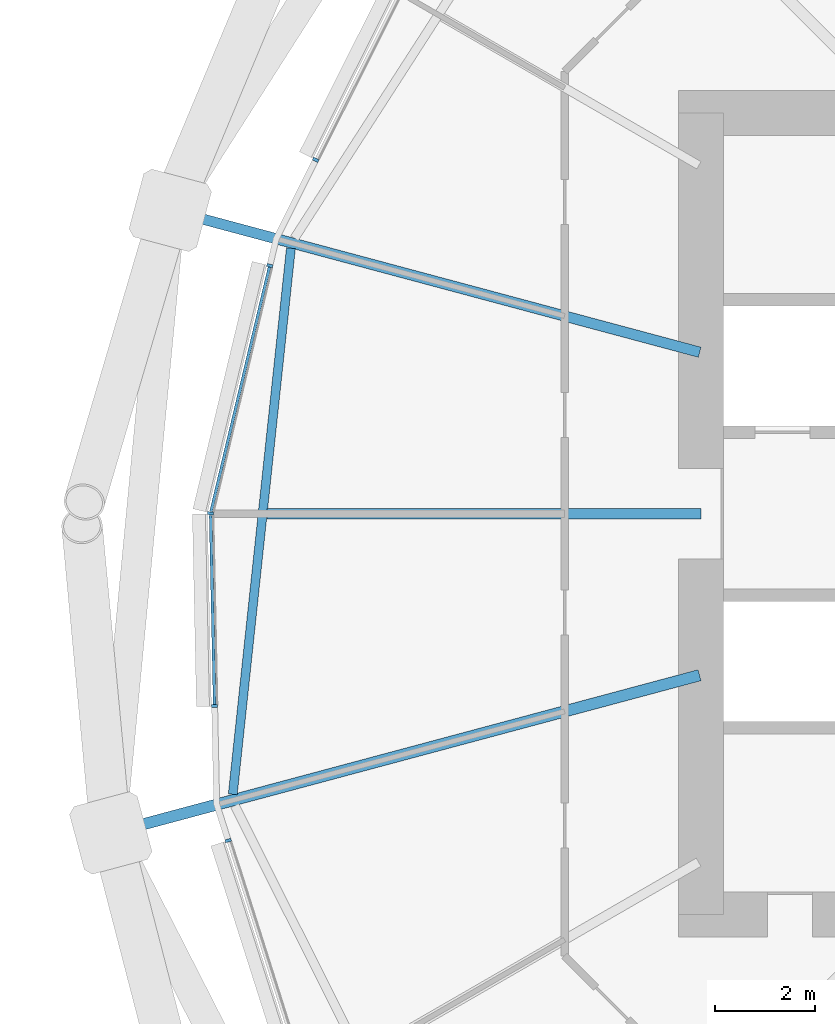
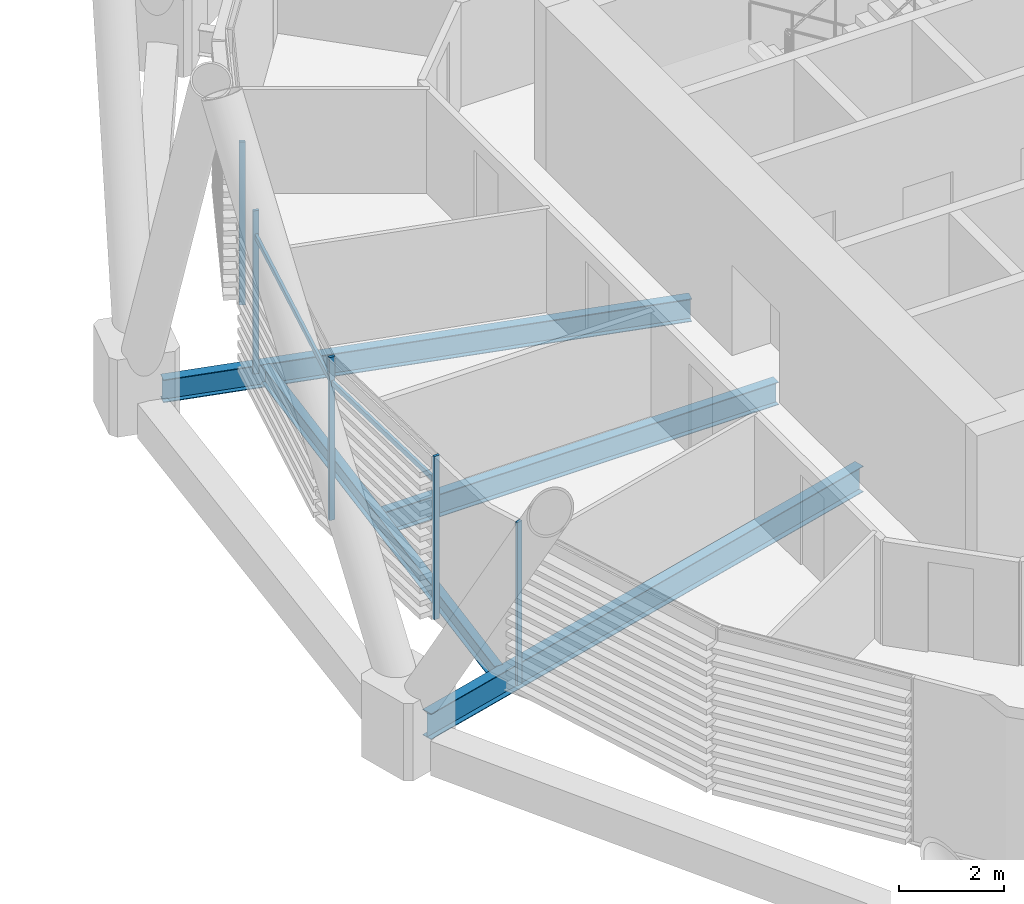
# One storey, part 16 of 40: 7 members, 4 beams, 1 element without a shape of its own.
"""IFC4 building model written with IfcOpenShell, lengths in metres."""

from ifc_helpers import new_model, si_unit, direction, frame, origin, origin_2d, place, context, subcontext, project, spatial, rectangle, i_section, extrude, material, material_profile, profile_set, type_object, element, aggregate, save


model = new_model("IFC4")

# Units and contexts
model_context = context("Model", 3, precision=1e-05, world=origin(), true_north=direction((0.0, 1.0)))
body_context = subcontext(model_context, "Body", "Model", "MODEL_VIEW")
ifc_project = project(units=[si_unit("LENGTHUNIT", "METRE"), si_unit("AREAUNIT", "SQUARE_METRE"), si_unit("VOLUMEUNIT", "CUBIC_METRE"), si_unit("PLANEANGLEUNIT", "RADIAN"), si_unit("MASSUNIT", "GRAM", prefix="KILO")], contexts=[model_context])

# Site, building, storey
site_placement = place(None, origin())
site = spatial("IfcSite", under=ifc_project, at=site_placement, CompositionType="ELEMENT")
building_placement = place(site_placement, origin())
building = spatial("IfcBuilding", under=site, at=building_placement, Name="Rimbun Link Towers", CompositionType="ELEMENT")
storey_placement = place(building_placement, frame((0.0, 0.0, 52.800048828125)))
storey = spatial("IfcBuildingStorey", under=building, at=storey_placement, Name="L12", CompositionType="ELEMENT", Elevation=52.800048828125)

# Curtain wall, members
ifc_material_1 = material(Name="Aluminium 6063-T6 and low-iron glass", Category="aluminium")
curtain_wall_type = type_object("IfcCurtainWallType", Name="CW1 unitised vision wall", PredefinedType="NOTDEFINED", material=ifc_material_1)
curtain_wall_placement = place(storey_placement, origin())
curtain_wall = element("IfcCurtainWall", 1, at=curtain_wall_placement, inside=storey, type_object=curtain_wall_type, Name="CW1 L12 T2", PredefinedType="NOTDEFINED")
ifc_material_2 = material(Name="Aluminium 6063-T6", Category="aluminium")
ifc_material_profile_1 = material_profile(ifc_material_2, rectangle(XDim=0.1201171875, YDim=0.06005859375, at=origin_2d()), Name="MULLION 60X120")
ifc_profile_set_1 = profile_set([ifc_material_profile_1], Name="Aluminium 6063-T6")
member_type_1 = type_object("IfcMemberType", Name="CW1 mullion 60X120", PredefinedType="MULLION", material=ifc_profile_set_1)
member_1_placement = place(storey_placement, frame((12.06005859375, 7.062744140625, 0.0), z_axis=(0.0, 0.0, 1.0), x_axis=(-0.893637652343, 0.448789200311, 0.0)))
member_1 = element("IfcMember", 2, at=member_1_placement, type_object=member_type_1, Name="CW1 mullion", PredefinedType="MULLION", context=body_context, shape_type="SweptSolid", body=[
    extrude(rectangle(XDim=0.1201171875, YDim=0.06005859375, at=origin_2d()), origin(), (0.0, 0.0, 1.0), 3.800048828125),
])
member_2_placement = place(storey_placement, frame((9.9599609375, 0.00634765625, 0.0), z_axis=(0.0, 0.0, 1.0), x_axis=(-0.994297747916, 0.106639525927, 0.0)))
member_2 = element("IfcMember", 3, at=member_2_placement, type_object=member_type_1, Name="CW1 mullion", PredefinedType="MULLION", context=body_context, shape_type="SweptSolid", body=[
    extrude(rectangle(XDim=0.1201171875, YDim=0.06005859375, at=origin_2d()), origin(), (0.0, 0.0, 1.0), 3.800048828125),
])
member_3_placement = place(storey_placement, frame((11.14208984375, 4.950927734375, 0.0), z_axis=(0.0, 0.0, 1.0), x_axis=(-0.972571724543, 0.232603182737, 0.0)))
member_3 = element("IfcMember", 4, at=member_3_placement, type_object=member_type_1, Name="CW1 mullion", PredefinedType="MULLION", context=body_context, shape_type="SweptSolid", body=[
    extrude(rectangle(XDim=0.1201171875, YDim=0.06005859375, at=origin_2d()), origin(), (0.0, 0.0, 1.0), 3.800048828125),
])
member_4_placement = place(storey_placement, frame((10.04052734375, -3.841552734375, 0.0), z_axis=(0.0, 0.0, 1.0), x_axis=(-0.999778076675, -0.02106649948, 0.0)))
member_4 = element("IfcMember", 5, at=member_4_placement, type_object=member_type_1, Name="CW1 mullion", PredefinedType="MULLION", context=body_context, shape_type="SweptSolid", body=[
    extrude(rectangle(XDim=0.1201171875, YDim=0.06005859375, at=origin_2d()), origin(), (0.0, 0.0, 1.0), 3.800048828125),
])
member_5_placement = place(storey_placement, frame((10.311767578125, -6.522705078125, 0.0), z_axis=(0.0, 0.0, 1.0), x_axis=(-0.952967205153, -0.303073433186, 0.0)))
member_5 = element("IfcMember", 6, at=member_5_placement, type_object=member_type_1, Name="CW1 mullion", PredefinedType="MULLION", context=body_context, shape_type="SweptSolid", body=[
    extrude(rectangle(XDim=0.1201171875, YDim=0.06005859375, at=origin_2d()), origin(), (0.0, 0.0, 1.0), 3.800048828125),
])
ifc_material_3 = material(Name="Aluminium 6063-T6", Category="aluminium")
ifc_material_profile_2 = material_profile(ifc_material_3, rectangle(XDim=0.06005859375, YDim=0.1201171875, at=origin_2d()), Name="TRANSOM 60X120")
ifc_profile_set_2 = profile_set([ifc_material_profile_2], Name="Aluminium 6063-T6")
member_type_2 = type_object("IfcMemberType", Name="CW1 transom 60X120", PredefinedType="USERDEFINED", material=ifc_profile_set_2)
member_6_placement = place(storey_placement, frame((9.97021484375, 0.042724609375, 3.199951171875), z_axis=(0.23259423028, 0.972573865596, 0.0), x_axis=(-0.972573865596, 0.23259423028, 0.0)))
member_6 = element("IfcMember", 7, at=member_6_placement, type_object=member_type_2, Name="CW1 transom", ObjectType="TRANSOM", PredefinedType="USERDEFINED", context=body_context, shape_type="SweptSolid", body=[
    extrude(rectangle(XDim=0.06005859375, YDim=0.1201171875, at=origin_2d()), origin(), (0.0, 0.0, 1.0), 5.016357421875),
])
member_7_placement = place(storey_placement, frame((10.0419921875, -3.8115234375, 3.199951171875), z_axis=(-0.02104932646, 0.999778438383, 0.0), x_axis=(-0.999778438383, -0.02104932646, 0.0)))
member_7 = element("IfcMember", 8, at=member_7_placement, type_object=member_type_2, Name="CW1 transom", ObjectType="TRANSOM", PredefinedType="USERDEFINED", context=body_context, shape_type="SweptSolid", body=[
    extrude(rectangle(XDim=0.06005859375, YDim=0.1201171875, at=origin_2d()), origin(), (0.0, 0.0, 1.0), 3.781005859375),
])
aggregate(curtain_wall, [member_1, member_2, member_3, member_4, member_5, member_6, member_7])

# Beams
ifc_material_4 = material(Name="Steel S355J2", Category="steel")
ifc_material_profile_3 = material_profile(ifc_material_4, i_section(OverallWidth=0.177978515625, OverallDepth=0.406494140625, WebThickness=0.0078125, FlangeThickness=0.0126953125, at=origin_2d()), Name="UB 406x178x60")
ifc_profile_set_3 = profile_set([ifc_material_profile_3], Name="Steel S355J2")
beam_type_1 = type_object("IfcBeamType", Name="UB 406x178x60", PredefinedType="BEAM", material=ifc_profile_set_3)
beam_1_placement = place(storey_placement, frame((11.563720703125, 5.299560546875, -0.36328125), z_axis=(-0.10585446266, -0.994381633346, 0.0), x_axis=(0.994381633346, -0.10585446266, 0.0)))
element("IfcBeam", 9, at=beam_1_placement, inside=storey, type_object=beam_type_1, Name="Edge beam T2 L12 08-10", PredefinedType="BEAM", context=body_context, shape_type="SweptSolid", body=[
    extrude(i_section(OverallWidth=0.177978515625, OverallDepth=0.406494140625, WebThickness=0.0078125, FlangeThickness=0.0126953125, at=origin_2d()), origin(), (0.0, 0.0, 1.0), 10.962158203125),
])
ifc_material_5 = material(Name="Steel S355J2", Category="steel")
ifc_material_profile_4 = material_profile(ifc_material_5, i_section(OverallWidth=0.209228515625, OverallDepth=0.533203125, WebThickness=0.010009765625, FlangeThickness=0.015625, at=origin_2d()), Name="UB 533x210x92")
ifc_profile_set_4 = profile_set([ifc_material_profile_4], Name="Steel S355J2")
beam_type_2 = type_object("IfcBeamType", Name="UB 533x210x92", PredefinedType="BEAM", material=ifc_profile_set_4)
beam_2_placement = place(storey_placement, frame((19.721923828125, 3.222900390625, -0.4267578125), z_axis=(-0.965926443072, 0.258816743226, 0.0), x_axis=(-0.258816743226, -0.965926443072, 0.0)))
element("IfcBeam", 10, at=beam_2_placement, inside=storey, type_object=beam_type_2, Name="Radial beam T2 L12 08", PredefinedType="BEAM", context=body_context, shape_type="SweptSolid", body=[
    extrude(i_section(OverallWidth=0.209228515625, OverallDepth=0.533203125, WebThickness=0.010009765625, FlangeThickness=0.015625, at=origin_2d()), origin(), (0.0, 0.0, 1.0), 10.439453125),
])
beam_3_placement = place(storey_placement, frame((19.7490234375, 0.0, -0.4267578125), z_axis=(-1.0, 0.0, 0.0), x_axis=(0.0, -1.0, 0.0)))
element("IfcBeam", 11, at=beam_3_placement, inside=storey, type_object=beam_type_2, Name="Radial beam T2 L12 09", PredefinedType="BEAM", context=body_context, shape_type="SweptSolid", body=[
    extrude(i_section(OverallWidth=0.209228515625, OverallDepth=0.533203125, WebThickness=0.010009765625, FlangeThickness=0.015625, at=origin_2d()), origin(), (0.0, 0.0, 1.0), 8.658935546875),
])
ifc_material_6 = material(Name="Steel S355J2", Category="steel")
ifc_material_profile_5 = material_profile(ifc_material_6, i_section(OverallWidth=0.2275390625, OverallDepth=0.6025390625, WebThickness=0.010498046875, FlangeThickness=0.014892578125, at=origin_2d()), Name="UB 610x229x101")
ifc_profile_set_5 = profile_set([ifc_material_profile_5], Name="Steel S355J2")
beam_type_3 = type_object("IfcBeamType", Name="UB 610x229x101", PredefinedType="BEAM", material=ifc_profile_set_5)
beam_4_placement = place(storey_placement, frame((19.719482421875, -3.2236328125, -0.46142578125), z_axis=(-0.96592544449, -0.258820469992, 0.0), x_axis=(0.258820469992, -0.96592544449, 0.0)))
element("IfcBeam", 12, at=beam_4_placement, inside=storey, type_object=beam_type_3, Name="Radial beam T2 L12 10", PredefinedType="BEAM", context=body_context, shape_type="SweptSolid", body=[
    extrude(i_section(OverallWidth=0.2275390625, OverallDepth=0.6025390625, WebThickness=0.010498046875, FlangeThickness=0.014892578125, at=origin_2d()), origin(), (0.0, 0.0, 1.0), 11.66552734375),
])

save(model, "model.ifc")
